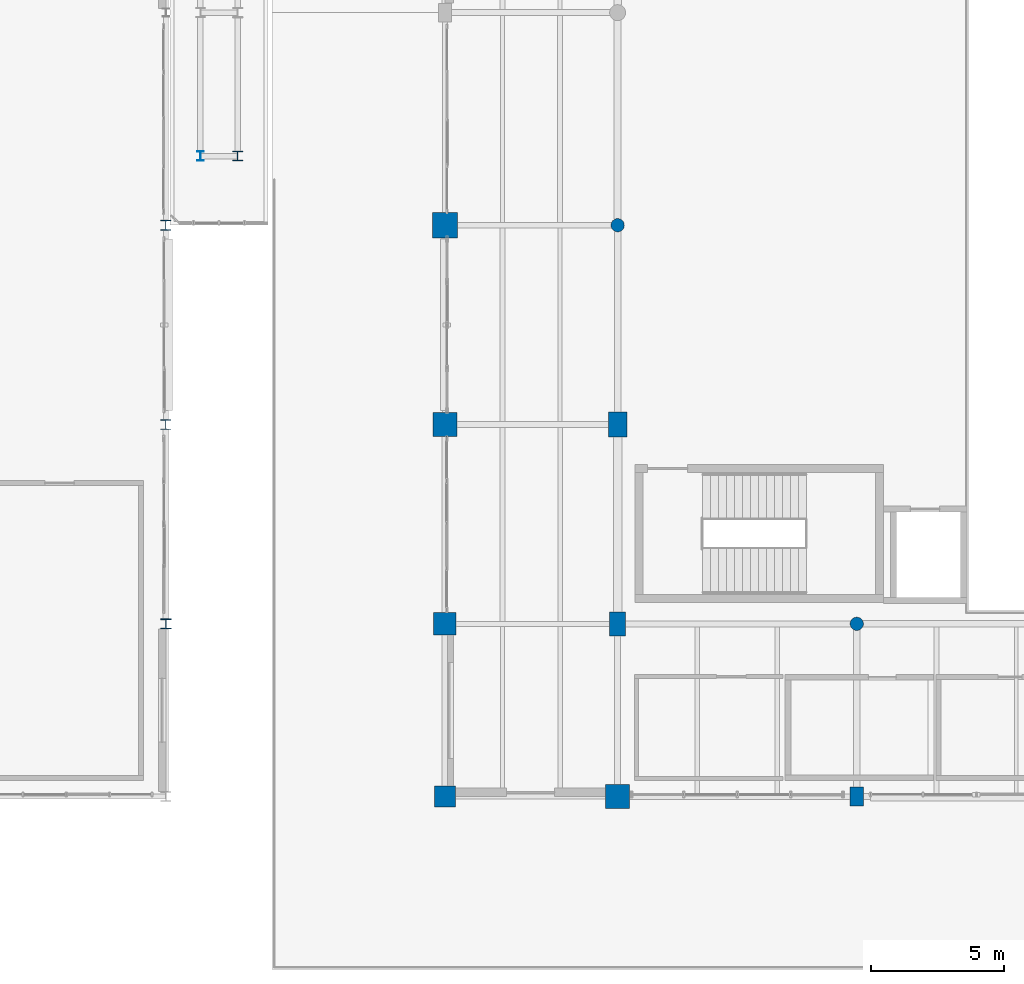
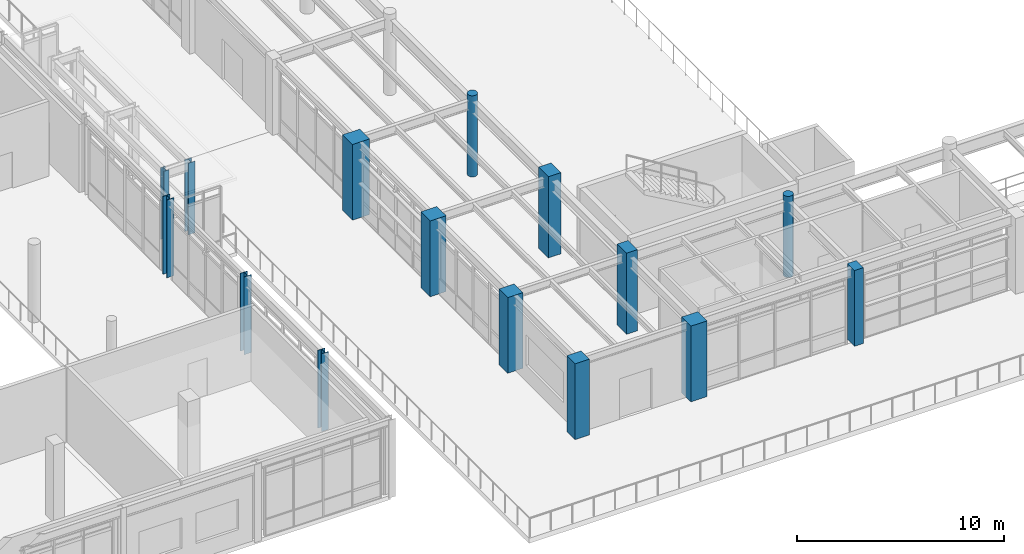
# One storey, part 2 of 200: 15 columns.
"""IFC4 building model written with IfcOpenShell, lengths in metres."""

from ifc_helpers import new_model, si_unit, direction, frame, origin, origin_2d, place, context, subcontext, project, spatial, rectangle, circle, i_section, extrude, material, material_profile, profile_set, type_object, element, save


model = new_model("IFC4")

# Units and contexts
model_context = context("Model", 3, precision=1e-05, world=origin(), true_north=direction((0.0, 1.0)))
body_context = subcontext(model_context, "Body", "Model", "MODEL_VIEW")
ifc_project = project(units=[si_unit("LENGTHUNIT", "METRE"), si_unit("AREAUNIT", "SQUARE_METRE"), si_unit("VOLUMEUNIT", "CUBIC_METRE"), si_unit("PLANEANGLEUNIT", "RADIAN"), si_unit("MASSUNIT", "GRAM", prefix="KILO"), si_unit("THERMODYNAMICTEMPERATUREUNIT", "KELVIN"), si_unit("POWERUNIT", "WATT")], contexts=[model_context])

# Site, building, storey
site_placement = place(None, origin())
site = spatial("IfcSite", under=ifc_project, at=site_placement, CompositionType="ELEMENT")
building_placement = place(site_placement, origin())
building = spatial("IfcBuilding", under=site, at=building_placement, Name="Tepalcoro Natatorium and Aquatics Centre", CompositionType="ELEMENT")
storey_placement = place(building_placement, frame((0.0, 0.0, 5.39990234375)))
storey = spatial("IfcBuildingStorey", under=building, at=storey_placement, Name="L01", CompositionType="ELEMENT", Elevation=5.39990234375)

# Columns
ifc_material_1 = material(Name="Concrete C40/50 (fc 40 MPa)", Category="concrete")
ifc_material_profile_1 = material_profile(ifc_material_1, rectangle(XDim=0.5, YDim=0.699951171875, at=origin_2d()), Name="RC500x700")
ifc_profile_set_1 = profile_set([ifc_material_profile_1], Name="Concrete C40/50 (fc 40 MPa)")
column_type_1 = type_object("IfcColumnType", Name="COL_RC_500x700", PredefinedType="COLUMN", material=ifc_profile_set_1)
column_1_placement = place(storey_placement, frame((62.0, 6.5, 0.0), z_axis=(0.0, 0.0, 1.0), x_axis=(1.0, 0.0, 0.0)))
element("IfcColumn", 1, at=column_1_placement, inside=storey, type_object=column_type_1, Name="V1 L01 Grid Column (62.0, 6.5)", PredefinedType="COLUMN", context=body_context, shape_type="SweptSolid", body=[
    extrude(rectangle(XDim=0.5, YDim=0.699951171875, at=origin_2d()), origin(), (0.0, 0.0, 1.0), 4.47998046875),
])
ifc_material_profile_2 = material_profile(ifc_material_1, rectangle(XDim=0.60009765625, YDim=0.89990234375, at=origin_2d()), Name="RC600x900")
ifc_profile_set_2 = profile_set([ifc_material_profile_2], Name="Concrete C40/50 (fc 40 MPa)")
column_type_2 = type_object("IfcColumnType", Name="COL_RC_600x900", PredefinedType="COLUMN", material=ifc_profile_set_2)
column_2_placement = place(storey_placement, frame((53.0, 13.0, 0.0), z_axis=(0.0, 0.0, 1.0), x_axis=(1.0, 0.0, 0.0)))
element("IfcColumn", 2, at=column_2_placement, inside=storey, type_object=column_type_2, Name="V1 L01 Grid Column (53.0, 13.0)", PredefinedType="COLUMN", context=body_context, shape_type="SweptSolid", body=[
    extrude(rectangle(XDim=0.60009765625, YDim=0.89990234375, at=origin_2d()), origin(), (0.0, 0.0, 1.0), 4.800048828125),
])
ifc_material_profile_3 = material_profile(ifc_material_1, rectangle(XDim=0.699951171875, YDim=0.949951171875, at=origin_2d()), Name="RC700x950")
ifc_profile_set_3 = profile_set([ifc_material_profile_3], Name="Concrete C40/50 (fc 40 MPa)")
column_type_3 = type_object("IfcColumnType", Name="COL_RC_700x950", PredefinedType="COLUMN", material=ifc_profile_set_3)
column_3_placement = place(storey_placement, frame((53.0, 20.5, 0.0), z_axis=(0.0, 0.0, 1.0), x_axis=(1.0, 0.0, 0.0)))
element("IfcColumn", 3, at=column_3_placement, inside=storey, type_object=column_type_3, Name="V1 L01 Grid Column (53.0, 20.5)", PredefinedType="COLUMN", context=body_context, shape_type="SweptSolid", body=[
    extrude(rectangle(XDim=0.699951171875, YDim=0.949951171875, at=origin_2d()), origin(), (0.0, 0.0, 1.0), 4.800048828125),
])
ifc_material_profile_4 = material_profile(ifc_material_1, rectangle(XDim=0.800048828125, YDim=0.800048828125, at=origin_2d()), Name="RC800x800")
ifc_profile_set_4 = profile_set([ifc_material_profile_4], Name="Concrete C40/50 (fc 40 MPa)")
column_type_4 = type_object("IfcColumnType", Name="COL_RC_800x800", PredefinedType="COLUMN", material=ifc_profile_set_4)
column_4_placement = place(storey_placement, frame((46.5, 6.5, 0.0), z_axis=(0.0, 0.0, 1.0), x_axis=(1.0, 0.0, 0.0)))
element("IfcColumn", 4, at=column_4_placement, inside=storey, type_object=column_type_4, Name="V1 L01 Grid Column (46.5, 6.5)", PredefinedType="COLUMN", context=body_context, shape_type="SweptSolid", body=[
    extrude(rectangle(XDim=0.800048828125, YDim=0.800048828125, at=origin_2d()), origin(), (0.0, 0.0, 1.0), 4.47998046875),
])
ifc_material_profile_5 = material_profile(ifc_material_1, rectangle(XDim=0.85009765625, YDim=0.85009765625, at=origin_2d()), Name="RC850x850")
ifc_profile_set_5 = profile_set([ifc_material_profile_5], Name="Concrete C40/50 (fc 40 MPa)")
column_type_5 = type_object("IfcColumnType", Name="COL_RC_850x850", PredefinedType="COLUMN", material=ifc_profile_set_5)
column_5_placement = place(storey_placement, frame((46.5, 13.0, 0.0), z_axis=(0.0, 0.0, 1.0), x_axis=(1.0, 0.0, 0.0)))
element("IfcColumn", 5, at=column_5_placement, inside=storey, type_object=column_type_5, Name="V1 L01 Grid Column (46.5, 13.0)", PredefinedType="COLUMN", context=body_context, shape_type="SweptSolid", body=[
    extrude(rectangle(XDim=0.85009765625, YDim=0.85009765625, at=origin_2d()), origin(), (0.0, 0.0, 1.0), 4.47998046875),
])
ifc_material_profile_6 = material_profile(ifc_material_1, rectangle(XDim=0.89990234375, YDim=0.89990234375, at=origin_2d()), Name="RC900x900")
ifc_profile_set_6 = profile_set([ifc_material_profile_6], Name="Concrete C40/50 (fc 40 MPa)")
column_type_6 = type_object("IfcColumnType", Name="COL_RC_900x900", PredefinedType="COLUMN", material=ifc_profile_set_6)
for number, where, z_axis, x_axis, name in (
    (6, (46.5, 20.5, 0.0), (0.0, 0.0, 1.0), (1.0, 0.0, 0.0), "V1 L01 Grid Column (46.5, 20.5)"),
    (7, (53.0, 6.5, 0.0), (0.0, 0.0, 1.0), (1.0, 0.0, 0.0), "V1 L01 Grid Column (53.0, 6.5)"),
):
    element("IfcColumn", number, at=place(storey_placement, frame(where, z_axis=z_axis, x_axis=x_axis)), inside=storey, type_object=column_type_6, Name=name, PredefinedType="COLUMN", context=body_context, shape_type="SweptSolid", body=[
        extrude(rectangle(XDim=0.89990234375, YDim=0.89990234375, at=origin_2d()), origin(), (0.0, 0.0, 1.0), 4.47998046875),
    ])
ifc_material_profile_7 = material_profile(ifc_material_1, rectangle(XDim=0.949951171875, YDim=0.949951171875, at=origin_2d()), Name="RC950x950")
ifc_profile_set_7 = profile_set([ifc_material_profile_7], Name="Concrete C40/50 (fc 40 MPa)")
column_type_7 = type_object("IfcColumnType", Name="COL_RC_950x950", PredefinedType="COLUMN", material=ifc_profile_set_7)
column_6_placement = place(storey_placement, frame((46.5, 28.0, 0.0), z_axis=(0.0, 0.0, 1.0), x_axis=(1.0, 0.0, 0.0)))
element("IfcColumn", 8, at=column_6_placement, inside=storey, type_object=column_type_7, Name="V1 L01 Grid Column (46.5, 28.0)", PredefinedType="COLUMN", context=body_context, shape_type="SweptSolid", body=[
    extrude(rectangle(XDim=0.949951171875, YDim=0.949951171875, at=origin_2d()), origin(), (0.0, 0.0, 1.0), 4.47998046875),
])
ifc_material_profile_8 = material_profile(ifc_material_1, circle(Radius=0.25, at=origin_2d()), Name="RCD500")
ifc_profile_set_8 = profile_set([ifc_material_profile_8], Name="Concrete C40/50 (fc 40 MPa)")
column_type_8 = type_object("IfcColumnType", Name="COL_RC_D500", PredefinedType="COLUMN", material=ifc_profile_set_8)
for number, where, z_axis, x_axis, name in (
    (9, (53.0, 28.0, 0.0), (0.0, 0.0, 1.0), (1.0, 0.0, 0.0), "V1 L01 Grid Column (53.0, 28.0)"),
    (10, (62.0, 13.0, 0.0), (0.0, 0.0, 1.0), (1.0, 0.0, 0.0), "V1 L01 Grid Column (62.0, 13.0)"),
):
    element("IfcColumn", number, at=place(storey_placement, frame(where, z_axis=z_axis, x_axis=x_axis)), inside=storey, type_object=column_type_8, Name=name, PredefinedType="COLUMN", context=body_context, shape_type="SweptSolid", body=[
        extrude(circle(Radius=0.25, at=origin_2d()), origin(), (0.0, 0.0, 1.0), 4.800048828125),
    ])
ifc_material_2 = material(Name="Steel ASTM A992 Grade 50 (Fy 345 MPa)", Category="steel")
ifc_material_profile_9 = material_profile(ifc_material_2, i_section(OverallWidth=0.39404296875, OverallDepth=0.3759765625, WebThickness=0.01708984375, FlangeThickness=0.028076171875, FilletRadius=0.013916015625, at=origin_2d()), Name="W14X145")
ifc_profile_set_9 = profile_set([ifc_material_profile_9], Name="Steel ASTM A992 Grade 50 (Fy 345 MPa)")
column_type_9 = type_object("IfcColumnType", Name="COL_W14x145", PredefinedType="COLUMN", material=ifc_profile_set_9)
column_7_placement = place(storey_placement, frame((36.0, 13.0, 0.0), z_axis=(0.0, 0.0, 1.0), x_axis=(1.0, 0.0, 0.0)))
element("IfcColumn", 11, at=column_7_placement, inside=storey, type_object=column_type_9, Name="V3 L01 Grid Column (36.0, 13.0)", PredefinedType="COLUMN", context=body_context, shape_type="SweptSolid", body=[
    extrude(i_section(OverallWidth=0.39404296875, OverallDepth=0.3759765625, WebThickness=0.01708984375, FlangeThickness=0.028076171875, FilletRadius=0.013916015625, at=origin_2d()), origin(), (0.0, 0.0, 1.0), 4.60009765625),
])
ifc_material_profile_10 = material_profile(ifc_material_2, i_section(OverallWidth=0.39892578125, OverallDepth=0.385986328125, WebThickness=0.02099609375, FlangeThickness=0.032958984375, FilletRadius=0.013916015625, at=origin_2d()), Name="W14X176")
ifc_profile_set_10 = profile_set([ifc_material_profile_10], Name="Steel ASTM A992 Grade 50 (Fy 345 MPa)")
column_type_10 = type_object("IfcColumnType", Name="COL_W14x176", PredefinedType="COLUMN", material=ifc_profile_set_10)
column_8_placement = place(storey_placement, frame((36.0, 20.5, 0.0), z_axis=(0.0, 0.0, 1.0), x_axis=(1.0, 0.0, 0.0)))
element("IfcColumn", 12, at=column_8_placement, inside=storey, type_object=column_type_10, Name="V3 L01 Grid Column (36.0, 20.5)", PredefinedType="COLUMN", context=body_context, shape_type="SweptSolid", body=[
    extrude(i_section(OverallWidth=0.39892578125, OverallDepth=0.385986328125, WebThickness=0.02099609375, FlangeThickness=0.032958984375, FilletRadius=0.013916015625, at=origin_2d()), origin(), (0.0, 0.0, 1.0), 4.60009765625),
])
ifc_material_profile_11 = material_profile(ifc_material_2, i_section(OverallWidth=0.40087890625, OverallDepth=0.39892578125, WebThickness=0.02490234375, FlangeThickness=0.0400390625, FilletRadius=0.013916015625, at=origin_2d()), Name="W14X211")
ifc_profile_set_11 = profile_set([ifc_material_profile_11], Name="Steel ASTM A992 Grade 50 (Fy 345 MPa)")
column_type_11 = type_object("IfcColumnType", Name="COL_W14x211", PredefinedType="COLUMN", material=ifc_profile_set_11)
column_9_placement = place(storey_placement, frame((36.0, 28.0, 0.0), z_axis=(0.0, 0.0, 1.0), x_axis=(1.0, 0.0, 0.0)))
element("IfcColumn", 13, at=column_9_placement, inside=storey, type_object=column_type_11, Name="V3 L01 Grid Column (36.0, 28.0)", PredefinedType="COLUMN", context=body_context, shape_type="SweptSolid", body=[
    extrude(i_section(OverallWidth=0.40087890625, OverallDepth=0.39892578125, WebThickness=0.02490234375, FlangeThickness=0.0400390625, FilletRadius=0.013916015625, at=origin_2d()), origin(), (0.0, 0.0, 1.0), 4.60009765625),
])
ifc_material_profile_12 = material_profile(ifc_material_2, i_section(OverallWidth=0.25390625, OverallDepth=0.35595703125, WebThickness=0.010986328125, FlangeThickness=0.01806640625, FilletRadius=0.013916015625, at=origin_2d()), Name="W14X68")
ifc_profile_set_12 = profile_set([ifc_material_profile_12], Name="Steel ASTM A992 Grade 50 (Fy 345 MPa)")
column_type_12 = type_object("IfcColumnType", Name="COL_W14x68", PredefinedType="COLUMN", material=ifc_profile_set_12)
column_10_placement = place(storey_placement, frame((37.300048828125, 30.60009765625, 0.0), z_axis=(0.0, 0.0, 1.0), x_axis=(1.0, 0.0, 0.0)))
element("IfcColumn", 14, at=column_10_placement, inside=storey, type_object=column_type_12, Name="West Foyer Seismic Link Column L01", PredefinedType="COLUMN", context=body_context, shape_type="SweptSolid", body=[
    extrude(i_section(OverallWidth=0.25390625, OverallDepth=0.35595703125, WebThickness=0.010986328125, FlangeThickness=0.01806640625, FilletRadius=0.013916015625, at=origin_2d()), origin(), (0.0, 0.0, 1.0), 4.239990234375),
])
ifc_material_profile_13 = material_profile(ifc_material_2, i_section(OverallWidth=0.367919921875, OverallDepth=0.35595703125, WebThickness=0.010986328125, FlangeThickness=0.01806640625, FilletRadius=0.013916015625, at=origin_2d()), Name="W14X90")
ifc_profile_set_13 = profile_set([ifc_material_profile_13], Name="Steel ASTM A992 Grade 50 (Fy 345 MPa)")
column_type_13 = type_object("IfcColumnType", Name="COL_W14x90", PredefinedType="COLUMN", material=ifc_profile_set_13)
column_11_placement = place(storey_placement, frame((38.699951171875, 30.60009765625, 0.0), z_axis=(0.0, 0.0, 1.0), x_axis=(1.0, 0.0, 0.0)))
element("IfcColumn", 15, at=column_11_placement, inside=storey, type_object=column_type_13, Name="West Foyer Seismic Link Column L01", PredefinedType="COLUMN", context=body_context, shape_type="SweptSolid", body=[
    extrude(i_section(OverallWidth=0.367919921875, OverallDepth=0.35595703125, WebThickness=0.010986328125, FlangeThickness=0.01806640625, FilletRadius=0.013916015625, at=origin_2d()), origin(), (0.0, 0.0, 1.0), 4.239990234375),
])

save(model, "model.ifc")
